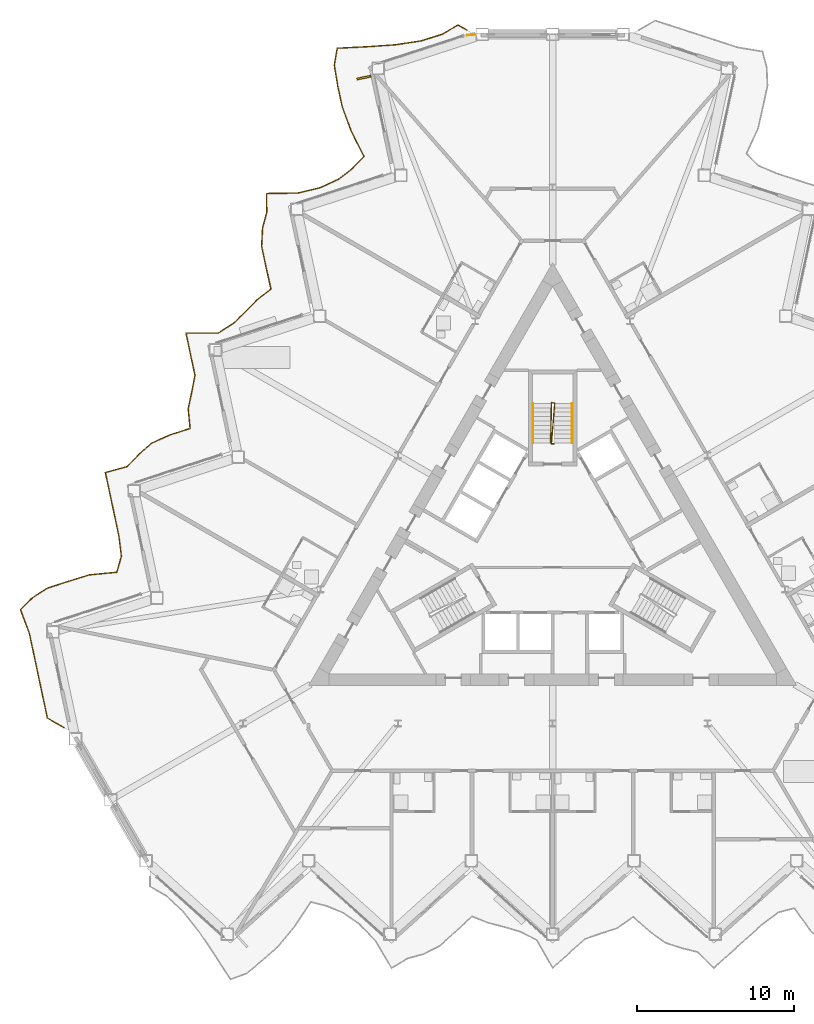
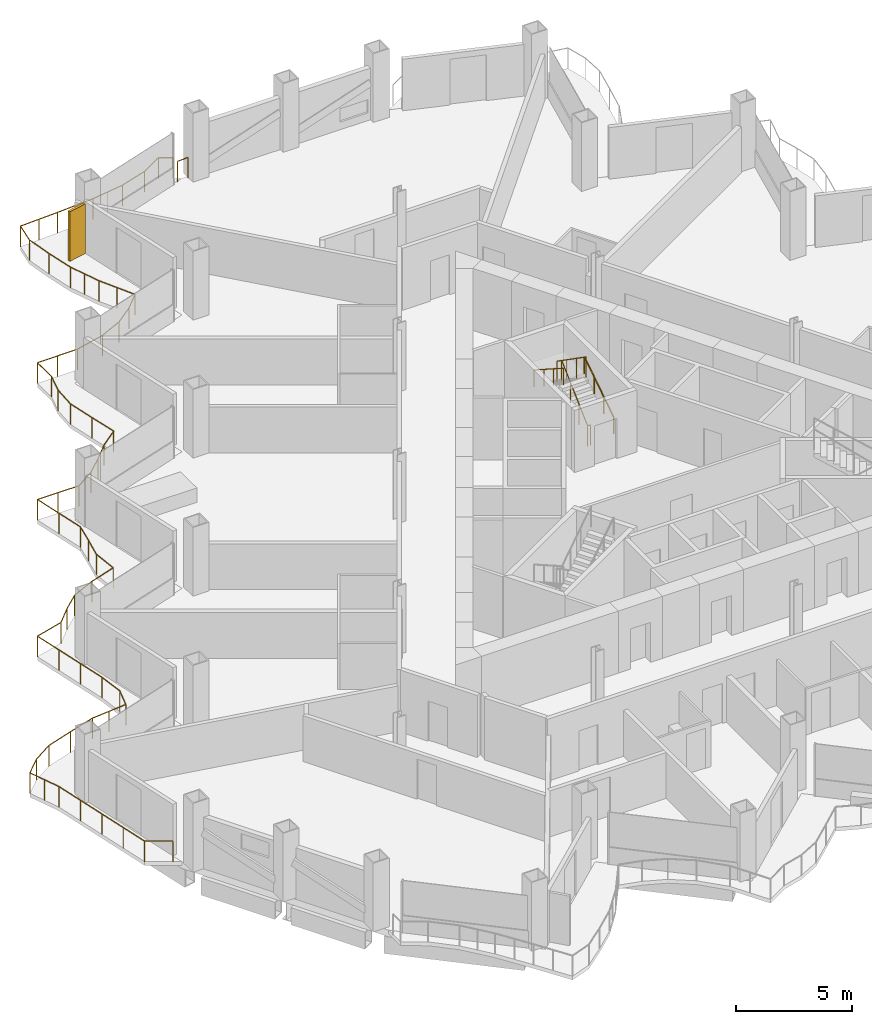
# One storey, part 20 of 23: 5 railings, 1 shading device.
"""IFC4 building model written with IfcOpenShell, lengths in metres."""

import ifcopenshell
import ifcopenshell.guid

model = None  # the IFC model being written
_history = None  # IfcOwnerHistory: only IFC2X3 demands one
_inside = {}  # id of a spatial element -> (the spatial element, [elements in it])
_under = {}  # id of a project, library or spatial element -> (it, [spatial elements below it])
_declared = {}  # id of a project -> (the project, [libraries it declares])
_typed = {}  # id of a type object -> (the type object, [elements of that type])
_made_of = {}  # id of a material, layer set ... -> (it, [elements and type objects made of it])


def new_model(schema):
    """Start an empty IFC model of exactly this schema.

    Asked for "IFC4X3", IfcOpenShell would pick the latest addendum, in which some entities
    have other attributes; the version numbers below select the first issue.
    IFC2X3 requires an IfcOwnerHistory on every rooted entity: one is made here for all.
    """
    global model, _history
    if schema == "IFC4X3":
        model = ifcopenshell.file(schema_version=(4, 3, 0, 0))
    else:
        model = ifcopenshell.file(schema=schema)
    _inside.clear()
    _under.clear()
    _declared.clear()
    _typed.clear()
    _made_of.clear()
    _history = None
    if model.schema == "IFC2X3":
        org = make("IfcOrganization", Name="unknown")
        user = make(
            "IfcPersonAndOrganization",
            ThePerson=make("IfcPerson", FamilyName="unknown"),
            TheOrganization=org,
        )
        app = make(
            "IfcApplication",
            ApplicationDeveloper=org,
            Version="unknown",
            ApplicationFullName="unknown",
            ApplicationIdentifier="unknown",
        )
        _history = make(
            "IfcOwnerHistory",
            OwningUser=user,
            OwningApplication=app,
            ChangeAction="ADDED",
            CreationDate=0,
        )
    return model


def make(cls, **values):
    """One entity of the class cls with the attributes given. An attribute that is None is left unset."""
    return model.create_entity(
        cls, **{name: value for name, value in values.items() if value is not None}
    )


def rooted(cls, **values):
    """An entity with a GlobalId (a new one), such as an element, a storey or a relation."""
    return make(cls, GlobalId=ifcopenshell.guid.new(), OwnerHistory=_history, **values)


def si_unit(unit_type, name, prefix=None):
    """IfcSIUnit, for example si_unit("LENGTHUNIT", "METRE", prefix="MILLI")."""
    return make("IfcSIUnit", UnitType=unit_type, Prefix=prefix, Name=name)


def assignment(units):
    """IfcUnitAssignment: the units of a project."""
    return None if units is None else make("IfcUnitAssignment", Units=units)


def point(xyz):
    """IfcCartesianPoint."""
    return None if xyz is None else make("IfcCartesianPoint", Coordinates=xyz)


def direction(xyz):
    """IfcDirection."""
    return None if xyz is None else make("IfcDirection", DirectionRatios=xyz)


def frame(location, z_axis=None, x_axis=None):
    """IfcAxis2Placement3D, a coordinate frame: its origin and axes. An axis left out is left unset."""
    return make(
        "IfcAxis2Placement3D",
        Location=point(location),
        Axis=direction(z_axis),
        RefDirection=direction(x_axis),
    )


def frame_2d(location, x_axis=None):
    """IfcAxis2Placement2D, a coordinate frame in the plane: its origin and x axis."""
    return make(
        "IfcAxis2Placement2D", Location=point(location), RefDirection=direction(x_axis)
    )


def origin():
    """The frame at (0, 0, 0) with its axes left unset."""
    return frame((0.0, 0.0, 0.0))


def origin_2d():
    """The frame at (0, 0) in the plane with its x axis left unset."""
    return frame_2d((0.0, 0.0))


def place(relative_to, where):
    """IfcLocalPlacement: puts the frame where relative to a parent placement (None: the world)."""
    return make(
        "IfcLocalPlacement", PlacementRelTo=relative_to, RelativePlacement=where
    )


def context(
    kind, dimensions, precision=None, world=None, true_north=None, identifier=None
):
    """IfcGeometricRepresentationContext, for example the 3D "Model" context."""
    return make(
        "IfcGeometricRepresentationContext",
        ContextIdentifier=identifier,
        ContextType=kind,
        CoordinateSpaceDimension=dimensions,
        Precision=precision,
        WorldCoordinateSystem=world,
        TrueNorth=true_north,
    )


def subcontext(parent, identifier, kind, view, scale=None):
    """IfcGeometricRepresentationSubContext, for example "Body" below "Model"."""
    return make(
        "IfcGeometricRepresentationSubContext",
        ContextIdentifier=identifier,
        ContextType=kind,
        ParentContext=parent,
        TargetScale=scale,
        TargetView=view,
    )


def project(units=None, contexts=None):
    """IfcProject with its units and contexts."""
    return rooted(
        "IfcProject",
        Name="project",
        RepresentationContexts=contexts,
        UnitsInContext=assignment(units),
    )


def spatial(cls, under=None, at=None, **own):
    """A site, building, storey or space (cls), placed at a placement, below another one or the project."""
    s = rooted(cls, ObjectPlacement=at, **own)
    if under is not None:
        _under.setdefault(under.id(), (under, []))[1].append(s)
    return s


def profile(cls, at=None, kind="AREA", **sizes):
    """A parametric profile (cls). Its sizes go by their IFC names, for example OverallWidth=200.0."""
    return make(cls, ProfileType=kind, Position=at, **sizes)


def rectangle(**sizes):
    """IfcRectangleProfileDef."""
    return profile("IfcRectangleProfileDef", **sizes)


def circle(**sizes):
    """IfcCircleProfileDef."""
    return profile("IfcCircleProfileDef", **sizes)


def extrude(swept, where, along, depth):
    """IfcExtrudedAreaSolid: the profile swept, set in the frame where, extruded along a direction by depth."""
    return make(
        "IfcExtrudedAreaSolid",
        SweptArea=swept,
        Position=where,
        ExtrudedDirection=direction(along),
        Depth=depth,
    )


def shape(context_of_items, identifier, shape_type, items):
    """IfcShapeRepresentation: the items that make up one representation, for example the "Body"."""
    return make(
        "IfcShapeRepresentation",
        ContextOfItems=context_of_items,
        RepresentationIdentifier=identifier,
        RepresentationType=shape_type,
        Items=items,
    )


def material(Name=None, Category=None):
    """IfcMaterial."""
    return make("IfcMaterial", Name=Name, Category=Category)


def layer(
    of_material, thickness, ventilated=None, Name=None, Category=None, Priority=None
):
    """IfcMaterialLayer: one layer of a wall or slab, of a material (None: an air gap)."""
    return make(
        "IfcMaterialLayer",
        Material=of_material,
        LayerThickness=thickness,
        IsVentilated=ventilated,
        Name=Name,
        Category=Category,
        Priority=Priority,
    )


def layer_set(layers, Name=None):
    """IfcMaterialLayerSet."""
    return make("IfcMaterialLayerSet", MaterialLayers=layers, LayerSetName=Name)


def made_of(thing, what):
    """Note that an element or type object is made of a material, layer set ...; save() writes the relation."""
    if what is not None:
        _made_of.setdefault(what.id(), (what, []))[1].append(thing)
    return thing


def type_object(cls, material=None, **own):
    """A type object (cls), such as IfcWallType, which elements share."""
    return made_of(rooted(cls, **own), material)


def element(
    cls,
    number,
    at=None,
    inside=None,
    cuts=None,
    type_object=None,
    material=None,
    context=None,
    identifier="Body",
    shape_type=None,
    held_by="IfcProductDefinitionShape",
    body=None,
    shapes=None,
    **own,
):
    """One element of the class cls, such as IfcWall. Its Tag is "e" and its number.

    at: its placement. inside: the storey or other place that contains it. cuts: it is an
    opening in that element (IfcRelVoidsElement). A single representation is given by context,
    identifier, shape_type and body (its items); several are given by shapes. held_by: the class
    of the entity that holds the representations. save() writes the other relations.
    """
    e = rooted(cls, Tag="e%d" % number, ObjectPlacement=at, **own)
    if body is not None:
        shapes = [shape(context, identifier, shape_type, body)]
    if shapes is not None:
        e.Representation = make(held_by, Representations=shapes)
    if inside is not None:
        _inside.setdefault(inside.id(), (inside, []))[1].append(e)
    if cuts is not None:
        rooted(
            "IfcRelVoidsElement", RelatingBuildingElement=cuts, RelatedOpeningElement=e
        )
    if type_object is not None:
        _typed.setdefault(type_object.id(), (type_object, []))[1].append(e)
    return made_of(e, material)


def aggregate(whole, parts):
    """IfcRelAggregates: a whole, such as a stair, and the parts it consists of."""
    return rooted("IfcRelAggregates", RelatingObject=whole, RelatedObjects=parts)


def save(model, path):
    """Write the relations noted so far, then the file.

    IfcRelAggregates (storeys below a building ...), IfcRelContainedInSpatialStructure (elements
    in a storey), IfcRelDefinesByType, IfcRelAssociatesMaterial and IfcRelDeclares: one each for
    every whole, place, type object, material and project.
    """
    for whole, parts in _under.values():
        aggregate(whole, parts)
    for where, things in _inside.values():
        rooted(
            "IfcRelContainedInSpatialStructure",
            RelatedElements=things,
            RelatingStructure=where,
        )
    for kind, things in _typed.values():
        rooted("IfcRelDefinesByType", RelatedObjects=things, RelatingType=kind)
    for what, things in _made_of.values():
        rooted("IfcRelAssociatesMaterial", RelatedObjects=things, RelatingMaterial=what)
    for by, libraries in _declared.values():
        rooted("IfcRelDeclares", RelatingContext=by, RelatedDefinitions=libraries)
    model.write(path)


model = new_model("IFC4")

# Units and contexts
model_context = context("Model", 3, precision=1e-05, world=origin(), true_north=direction((0.0, 1.0)))
body_context = subcontext(model_context, "Body", "Model", "MODEL_VIEW")
ifc_project = project(units=[si_unit("LENGTHUNIT", "METRE"), si_unit("AREAUNIT", "SQUARE_METRE"), si_unit("VOLUMEUNIT", "CUBIC_METRE"), si_unit("PLANEANGLEUNIT", "RADIAN"), si_unit("MASSUNIT", "GRAM", prefix="KILO")], contexts=[model_context])

# Site, building, storey
site_placement = place(None, origin())
site = spatial("IfcSite", under=ifc_project, at=site_placement, CompositionType="ELEMENT")
building_placement = place(site_placement, origin())
building = spatial("IfcBuilding", under=site, at=building_placement, Name="Cormorant Prow Tower", CompositionType="ELEMENT")
storey_placement = place(building_placement, frame((0.0, 0.0, 169.199951171875)))
storey = spatial("IfcBuildingStorey", under=building, at=storey_placement, Name="L35", CompositionType="ELEMENT", Elevation=169.199951171875)

# Railings
ifc_material_1 = material(Name="Aluminium 6063-T6", Category="aluminium")
railing_type_1 = type_object("IfcRailingType", Name="Balcony guard 1100", PredefinedType="GUARDRAIL", material=ifc_material_1)
railing_1_placement = place(storey_placement, frame((-5.452880859375, 32.683837890625, 0.0)))
element("IfcRailing", 1, at=railing_1_placement, inside=storey, type_object=railing_type_1, Name="Balcony guard WNW", PredefinedType="GUARDRAIL", context=body_context, shape_type="SweptSolid", body=[
    extrude(circle(Radius=0.02392578125, at=origin_2d()), frame((0.0, 0.0, 1.076171875), z_axis=(-0.866038622153, 0.499977104415, 0.0), x_axis=(-0.499977104415, -0.866038622153, 0.0)), (0.0, 0.0, 1.0), 0.63623046875),
    extrude(circle(Radius=0.02392578125, at=origin_2d()), frame((-0.551025390625, 0.318115234375, 1.076171875), z_axis=(-0.866663041121, -0.498893949809, 0.0), x_axis=(0.498893949809, -0.866663041121, 0.0)), (0.0, 0.0, 1.0), 1.182373046875),
    extrude(circle(Radius=0.02392578125, at=origin_2d()), frame((-1.57568359375, -0.271728515625, 1.076171875), z_axis=(-0.953826861805, -0.300356983769, 0.0), x_axis=(0.300356983769, -0.953826861805, 0.0)), (0.0, 0.0, 1.0), 1.388427734375),
    extrude(circle(Radius=0.02392578125, at=origin_2d()), frame((-2.89990234375, -0.688720703125, 1.076171875), z_axis=(-0.988627028281, -0.150388160943, 0.0), x_axis=(0.150388160943, -0.988627028281, 0.0)), (0.0, 0.0, 1.0), 1.637939453125),
    extrude(circle(Radius=0.02392578125, at=origin_2d()), frame((-4.519287109375, -0.93505859375, 1.076171875), z_axis=(-0.997592938888, -0.069342110443, 0.0), x_axis=(0.069342110443, -0.997592938888, 0.0)), (0.0, 0.0, 1.0), 1.830810546875),
    extrude(circle(Radius=0.02392578125, at=origin_2d()), frame((-6.345703125, -1.06201171875, 1.076171875), z_axis=(-0.998798653488, -0.049002548825, 0.0), x_axis=(0.049002548825, -0.998798653488, 0.0)), (0.0, 0.0, 1.0), 1.88818359375),
    extrude(circle(Radius=0.02392578125, at=origin_2d()), frame((-8.231689453125, -1.154541015625, 1.076171875), z_axis=(-0.169914413175, -0.985458823186, 0.0), x_axis=(0.985458823186, -0.169914413175, 0.0)), (0.0, 0.0, 1.0), 1.090576171875),
    extrude(circle(Radius=0.02392578125, at=origin_2d()), frame((-8.4169921875, -2.229248046875, 1.076171875), z_axis=(0.163531909197, -0.986538045224, 0.0), x_axis=(0.986538045224, 0.163531909197, 0.0)), (0.0, 0.0, 1.0), 1.32421875),
    extrude(circle(Radius=0.02392578125, at=origin_2d()), frame((-8.200439453125, -3.53564453125, 1.076171875), z_axis=(0.208002968159, -0.978128194685, 0.0), x_axis=(0.978128194685, 0.208002968159, 0.0)), (0.0, 0.0, 1.0), 1.376708984375),
    extrude(circle(Radius=0.02392578125, at=origin_2d()), frame((-7.9140625, -4.88232421875, 1.076171875), z_axis=(0.347145599301, -0.937811245873, 0.0), x_axis=(0.937811245873, 0.347145599301, 0.0)), (0.0, 0.0, 1.0), 1.60205078125),
    extrude(circle(Radius=0.02392578125, at=origin_2d()), frame((-7.35791015625, -6.384765625, 1.076171875), z_axis=(0.446212366822, -0.894927105241, 0.0), x_axis=(0.894927105241, 0.446212366822, 0.0)), (0.0, 0.0, 1.0), 1.853759765625),
    extrude(circle(Radius=0.02392578125, at=origin_2d()), frame((-6.53076171875, -8.043701171875, 1.076171875), z_axis=(-0.700724814404, -0.713431660692, 0.0), x_axis=(0.713431660692, -0.700724814404, 0.0)), (0.0, 0.0, 1.0), 1.056640625),
    extrude(circle(Radius=0.02392578125, at=origin_2d()), frame((-7.271240234375, -8.797607421875, 1.076171875), z_axis=(-0.791037314197, -0.611767903332, 0.0), x_axis=(0.611767903332, -0.791037314197, 0.0)), (0.0, 0.0, 1.0), 1.105712890625),
    extrude(circle(Radius=0.02392578125, at=origin_2d()), frame((-8.14599609375, -9.47412109375, 1.076171875), z_axis=(-0.90658206108, -0.422029580158, 0.0), x_axis=(0.422029580158, -0.90658206108, 0.0)), (0.0, 0.0, 1.0), 1.24951171875),
    extrude(circle(Radius=0.02392578125, at=origin_2d()), frame((-9.27880859375, -10.00146484375, 1.076171875), z_axis=(-0.971860383997, -0.23555762356, 0.0), x_axis=(0.23555762356, -0.971860383997, 0.0)), (0.0, 0.0, 1.0), 1.483154296875),
    extrude(circle(Radius=0.02392578125, at=origin_2d()), frame((-10.72021484375, -10.350830078125, 1.076171875), z_axis=(-0.999908124347, -0.01355517853, 0.0), x_axis=(0.01355517853, -0.999908124347, 0.0)), (0.0, 0.0, 1.0), 1.999267578125),
    extrude(circle(Radius=0.02392578125, at=origin_2d()), frame((-12.71923828125, -10.3779296875, 1.076171875), z_axis=(0.012106643957, -0.9999267119, 0.0), x_axis=(0.9999267119, 0.012106643957, 0.0)), (0.0, 0.0, 1.0), 1.189697265625),
    extrude(circle(Radius=0.02392578125, at=origin_2d()), frame((-12.704833984375, -11.567626953125, 1.076171875), z_axis=(-0.253836229933, -0.967247211613, 0.0), x_axis=(0.967247211613, -0.253836229933, 0.0)), (0.0, 0.0, 1.0), 1.060791015625),
    extrude(circle(Radius=0.02392578125, at=origin_2d()), frame((-12.97412109375, -12.59375, 1.076171875), z_axis=(-0.048381770331, -0.998828916431, 0.0), x_axis=(0.998828916431, -0.048381770331, 0.0)), (0.0, 0.0, 1.0), 1.150634765625),
    extrude(circle(Radius=0.02392578125, at=origin_2d()), frame((-13.02978515625, -13.742919921875, 1.076171875), z_axis=(0.208002968159, -0.978128194685, 0.0), x_axis=(0.978128194685, 0.208002968159, 0.0)), (0.0, 0.0, 1.0), 1.376708984375),
    extrude(circle(Radius=0.02392578125, at=origin_2d()), frame((-12.743408203125, -15.089599609375, 1.076171875), z_axis=(0.218584635198, -0.975817993919, 0.0), x_axis=(0.975817993919, 0.218584635198, 0.0)), (0.0, 0.0, 1.0), 1.390625),
    extrude(circle(Radius=0.02392578125, at=origin_2d()), frame((-12.439453125, -16.446533203125, 1.076171875), z_axis=(-0.786049268655, -0.618163851456, 0.0), x_axis=(0.618163851456, -0.786049268655, 0.0)), (0.0, 0.0, 1.0), 1.102294921875),
    extrude(circle(Radius=0.02392578125, at=origin_2d()), frame((-13.305908203125, -17.1279296875, 1.076171875), z_axis=(-0.699086114757, -0.715037484439, 0.0), x_axis=(0.715037484439, -0.699086114757, 0.0)), (0.0, 0.0, 1.0), 1.05615234375),
    extrude(circle(Radius=0.02392578125, at=origin_2d()), frame((-14.044189453125, -17.883056640625, 1.076171875), z_axis=(-0.724845128214, -0.688911852202, 0.0), x_axis=(0.688911852202, -0.724845128214, 0.0)), (0.0, 0.0, 1.0), 1.066650390625),
    extrude(circle(Radius=0.02392578125, at=origin_2d()), frame((-14.8173828125, -18.617919921875, 1.076171875), z_axis=(-0.837767194075, -0.546027589534, 0.0), x_axis=(0.546027589534, -0.837767194075, 0.0)), (0.0, 0.0, 1.0), 1.147216796875),
    extrude(circle(Radius=0.02392578125, at=origin_2d()), frame((-15.778564453125, -19.244384765625, 1.076171875), z_axis=(-0.999995940652, 0.002849329523, 0.0), x_axis=(-0.002849329523, -0.999995940652, 0.0)), (0.0, 0.0, 1.0), 2.056396484375),
    extrude(circle(Radius=0.02392578125, at=origin_2d()), frame((-17.8349609375, -19.238525390625, 1.076171875), z_axis=(0.207833305176, -0.978164258834, 0.0), x_axis=(0.978164258834, 0.207833305176, 0.0)), (0.0, 0.0, 1.0), 1.376708984375),
    extrude(circle(Radius=0.02392578125, at=origin_2d()), frame((-17.548828125, -20.585205078125, 1.076171875), z_axis=(0.208002968159, -0.978128194685, 0.0), x_axis=(0.978128194685, 0.208002968159, 0.0)), (0.0, 0.0, 1.0), 1.376708984375),
    extrude(circle(Radius=0.02392578125, at=origin_2d()), frame((-17.262451171875, -21.931884765625, 1.076171875), z_axis=(-0.189909697907, -0.981801561743, 0.0), x_axis=(0.981801561743, -0.189909697907, 0.0)), (0.0, 0.0, 1.0), 1.08251953125),
    extrude(circle(Radius=0.02392578125, at=origin_2d()), frame((-17.468017578125, -22.99462890625, 1.076171875), z_axis=(-0.209063998537, -0.977901960585, 0.0), x_axis=(0.977901960585, -0.209063998537, 0.0)), (0.0, 0.0, 1.0), 1.075439453125),
    extrude(circle(Radius=0.02392578125, at=origin_2d()), frame((-17.69287109375, -24.04638671875, 1.076171875), z_axis=(0.095423555182, -0.995436760983, 0.0), x_axis=(0.995436760983, 0.095423555182, 0.0)), (0.0, 0.0, 1.0), 1.256103515625),
    extrude(circle(Radius=0.02392578125, at=origin_2d()), frame((-17.572998046875, -25.296875, 1.076171875), z_axis=(-0.951032765546, -0.309090082108, 0.0), x_axis=(0.309090082108, -0.951032765546, 0.0)), (0.0, 0.0, 1.0), 1.376708984375),
    extrude(circle(Radius=0.02392578125, at=origin_2d()), frame((-18.88232421875, -25.722412109375, 1.076171875), z_axis=(-0.911438592886, -0.41143613283, 0.0), x_axis=(0.41143613283, -0.911438592886, 0.0)), (0.0, 0.0, 1.0), 1.259765625),
    extrude(circle(Radius=0.02392578125, at=origin_2d()), frame((-20.030517578125, -26.24072265625, 1.076171875), z_axis=(-0.743440776752, -0.668801772922, 0.0), x_axis=(0.668801772922, -0.743440776752, 0.0)), (0.0, 0.0, 1.0), 1.076171875),
    extrude(circle(Radius=0.02392578125, at=origin_2d()), frame((-20.83056640625, -26.96044921875, 1.076171875), z_axis=(-0.694255556415, -0.719728575497, 0.0), x_axis=(0.719728575497, -0.694255556415, 0.0)), (0.0, 0.0, 1.0), 1.05419921875),
    extrude(circle(Radius=0.02392578125, at=origin_2d()), frame((-21.5625, -27.71923828125, 1.076171875), z_axis=(-0.964536414051, -0.263949817141, 0.0), x_axis=(0.263949817141, -0.964536414051, 0.0)), (0.0, 0.0, 1.0), 1.439208984375),
    extrude(circle(Radius=0.02392578125, at=origin_2d()), frame((-22.95068359375, -28.09912109375, 1.076171875), z_axis=(0.207797260524, -0.978171916648, 0.0), x_axis=(0.978171916648, 0.207797260524, 0.0)), (0.0, 0.0, 1.0), 1.376953125),
    extrude(circle(Radius=0.02392578125, at=origin_2d()), frame((-22.66455078125, -29.446044921875, 1.076171875), z_axis=(0.208039051809, -0.978120520653, 0.0), x_axis=(0.978120520653, 0.208039051809, 0.0)), (0.0, 0.0, 1.0), 1.37646484375),
    extrude(circle(Radius=0.02392578125, at=origin_2d()), frame((-22.378173828125, -30.79248046875, 1.076171875), z_axis=(0.207833305176, -0.978164258834, 0.0), x_axis=(0.978164258834, 0.207833305176, 0.0)), (0.0, 0.0, 1.0), 1.376708984375),
    extrude(circle(Radius=0.02392578125, at=origin_2d()), frame((-22.092041015625, -32.13916015625, 1.076171875), z_axis=(0.121947285507, -0.992536578448, 0.0), x_axis=(0.992536578448, 0.121947285507, 0.0)), (0.0, 0.0, 1.0), 1.28125),
    extrude(circle(Radius=0.02392578125, at=origin_2d()), frame((-21.935791015625, -33.410888671875, 1.076171875), z_axis=(-0.270290231117, -0.962778889965, 0.0), x_axis=(0.962778889965, -0.270290231117, 0.0)), (0.0, 0.0, 1.0), 1.055908203125),
    extrude(circle(Radius=0.02392578125, at=origin_2d()), frame((-22.22119140625, -34.427490234375, 1.076171875), z_axis=(-0.995438663589, -0.095403705552, 0.0), x_axis=(0.095403705552, -0.995438663589, 0.0)), (0.0, 0.0, 1.0), 1.76318359375),
    extrude(circle(Radius=0.02392578125, at=origin_2d()), frame((-23.976318359375, -34.595703125, 1.076171875), z_axis=(-0.955113715123, -0.296239415311, 0.0), x_axis=(0.296239415311, -0.955113715123, 0.0)), (0.0, 0.0, 1.0), 1.3935546875),
    extrude(circle(Radius=0.02392578125, at=origin_2d()), frame((-25.307373046875, -35.008544921875, 1.076171875), z_axis=(-0.951084882537, -0.308929678422, 0.0), x_axis=(0.308929678422, -0.951084882537, 0.0)), (0.0, 0.0, 1.0), 1.376708984375),
    extrude(circle(Radius=0.02392578125, at=origin_2d()), frame((-26.61669921875, -35.433837890625, 1.076171875), z_axis=(-0.84373988397, -0.536752278243, 0.0), x_axis=(0.536752278243, -0.84373988397, 0.0)), (0.0, 0.0, 1.0), 1.154052734375),
    extrude(circle(Radius=0.02392578125, at=origin_2d()), frame((-27.59033203125, -36.05322265625, 1.076171875), z_axis=(-0.711578739804, -0.702606359962, 0.0), x_axis=(0.702606359962, -0.711578739804, 0.0)), (0.0, 0.0, 1.0), 1.061279296875),
    extrude(circle(Radius=0.02392578125, at=origin_2d()), frame((-28.345458984375, -36.798828125, 1.076171875), z_axis=(0.350990514633, -0.936379014416, 0.0), x_axis=(0.936379014416, 0.350990514633, 0.0)), (0.0, 0.0, 1.0), 1.6103515625),
    extrude(circle(Radius=0.02392578125, at=origin_2d()), frame((-27.7802734375, -38.306640625, 1.076171875), z_axis=(0.208002968159, -0.978128194685, 0.0), x_axis=(0.978128194685, 0.208002968159, 0.0)), (0.0, 0.0, 1.0), 1.376708984375),
    extrude(circle(Radius=0.02392578125, at=origin_2d()), frame((-27.493896484375, -39.6533203125, 1.076171875), z_axis=(0.207833305176, -0.978164258834, 0.0), x_axis=(0.978164258834, 0.207833305176, 0.0)), (0.0, 0.0, 1.0), 1.376708984375),
    extrude(circle(Radius=0.02392578125, at=origin_2d()), frame((-27.207763671875, -41.0, 1.076171875), z_axis=(0.207833305176, -0.978164258834, 0.0), x_axis=(0.978164258834, 0.207833305176, 0.0)), (0.0, 0.0, 1.0), 1.376708984375),
    extrude(circle(Radius=0.02392578125, at=origin_2d()), frame((-26.921630859375, -42.3466796875, 1.076171875), z_axis=(0.208002968159, -0.978128194685, 0.0), x_axis=(0.978128194685, 0.208002968159, 0.0)), (0.0, 0.0, 1.0), 1.376708984375),
    extrude(circle(Radius=0.02392578125, at=origin_2d()), frame((-26.63525390625, -43.693359375, 1.076171875), z_axis=(0.866092288191, -0.499884134912, 0.0), x_axis=(0.499884134912, 0.866092288191, 0.0)), (0.0, 0.0, 1.0), 1.219970703125),
    extrude(circle(Radius=0.02099609375, at=origin_2d()), origin(), (0.0, 0.0, 1.0), 1.052001953125),
    extrude(circle(Radius=0.02099609375, at=origin_2d()), frame((-0.551025390625, 0.318115234375, 0.0)), (0.0, 0.0, 1.0), 1.052001953125),
    extrude(circle(Radius=0.02099609375, at=origin_2d()), frame((-1.57568359375, -0.271728515625, 0.0)), (0.0, 0.0, 1.0), 1.052001953125),
    extrude(circle(Radius=0.02099609375, at=origin_2d()), frame((-2.89990234375, -0.688720703125, 0.0)), (0.0, 0.0, 1.0), 1.052001953125),
    extrude(circle(Radius=0.02099609375, at=origin_2d()), frame((-3.70947265625, -0.81201171875, 0.0)), (0.0, 0.0, 1.0), 1.052001953125),
    extrude(circle(Radius=0.02099609375, at=origin_2d()), frame((-4.519287109375, -0.93505859375, 0.0)), (0.0, 0.0, 1.0), 1.052001953125),
    extrude(circle(Radius=0.02099609375, at=origin_2d()), frame((-5.4326171875, -0.99853515625, 0.0)), (0.0, 0.0, 1.0), 1.052001953125),
    extrude(circle(Radius=0.02099609375, at=origin_2d()), frame((-6.345703125, -1.06201171875, 0.0)), (0.0, 0.0, 1.0), 1.052001953125),
    extrude(circle(Radius=0.02099609375, at=origin_2d()), frame((-7.28857421875, -1.1083984375, 0.0)), (0.0, 0.0, 1.0), 1.052001953125),
    extrude(circle(Radius=0.02099609375, at=origin_2d()), frame((-8.231689453125, -1.154541015625, 0.0)), (0.0, 0.0, 1.0), 1.052001953125),
    extrude(circle(Radius=0.02099609375, at=origin_2d()), frame((-8.4169921875, -2.229248046875, 0.0)), (0.0, 0.0, 1.0), 1.052001953125),
    extrude(circle(Radius=0.02099609375, at=origin_2d()), frame((-8.200439453125, -3.53564453125, 0.0)), (0.0, 0.0, 1.0), 1.052001953125),
    extrude(circle(Radius=0.02099609375, at=origin_2d()), frame((-7.9140625, -4.88232421875, 0.0)), (0.0, 0.0, 1.0), 1.052001953125),
    extrude(circle(Radius=0.02099609375, at=origin_2d()), frame((-7.635986328125, -5.633544921875, 0.0)), (0.0, 0.0, 1.0), 1.052001953125),
    extrude(circle(Radius=0.02099609375, at=origin_2d()), frame((-7.35791015625, -6.384765625, 0.0)), (0.0, 0.0, 1.0), 1.052001953125),
    extrude(circle(Radius=0.02099609375, at=origin_2d()), frame((-6.9443359375, -7.21435546875, 0.0)), (0.0, 0.0, 1.0), 1.052001953125),
    extrude(circle(Radius=0.02099609375, at=origin_2d()), frame((-6.53076171875, -8.043701171875, 0.0)), (0.0, 0.0, 1.0), 1.052001953125),
    extrude(circle(Radius=0.02099609375, at=origin_2d()), frame((-7.271240234375, -8.797607421875, 0.0)), (0.0, 0.0, 1.0), 1.052001953125),
    extrude(circle(Radius=0.02099609375, at=origin_2d()), frame((-8.14599609375, -9.47412109375, 0.0)), (0.0, 0.0, 1.0), 1.052001953125),
    extrude(circle(Radius=0.02099609375, at=origin_2d()), frame((-9.27880859375, -10.00146484375, 0.0)), (0.0, 0.0, 1.0), 1.052001953125),
    extrude(circle(Radius=0.02099609375, at=origin_2d()), frame((-10.72021484375, -10.350830078125, 0.0)), (0.0, 0.0, 1.0), 1.052001953125),
    extrude(circle(Radius=0.02099609375, at=origin_2d()), frame((-11.7197265625, -10.3642578125, 0.0)), (0.0, 0.0, 1.0), 1.052001953125),
    extrude(circle(Radius=0.02099609375, at=origin_2d()), frame((-12.71923828125, -10.3779296875, 0.0)), (0.0, 0.0, 1.0), 1.052001953125),
    extrude(circle(Radius=0.02099609375, at=origin_2d()), frame((-12.704833984375, -11.567626953125, 0.0)), (0.0, 0.0, 1.0), 1.052001953125),
    extrude(circle(Radius=0.02099609375, at=origin_2d()), frame((-12.97412109375, -12.59375, 0.0)), (0.0, 0.0, 1.0), 1.052001953125),
    extrude(circle(Radius=0.02099609375, at=origin_2d()), frame((-13.02978515625, -13.742919921875, 0.0)), (0.0, 0.0, 1.0), 1.052001953125),
    extrude(circle(Radius=0.02099609375, at=origin_2d()), frame((-12.743408203125, -15.089599609375, 0.0)), (0.0, 0.0, 1.0), 1.052001953125),
    extrude(circle(Radius=0.02099609375, at=origin_2d()), frame((-12.439453125, -16.446533203125, 0.0)), (0.0, 0.0, 1.0), 1.052001953125),
    extrude(circle(Radius=0.02099609375, at=origin_2d()), frame((-13.305908203125, -17.1279296875, 0.0)), (0.0, 0.0, 1.0), 1.052001953125),
    extrude(circle(Radius=0.02099609375, at=origin_2d()), frame((-14.044189453125, -17.883056640625, 0.0)), (0.0, 0.0, 1.0), 1.052001953125),
    extrude(circle(Radius=0.02099609375, at=origin_2d()), frame((-14.8173828125, -18.617919921875, 0.0)), (0.0, 0.0, 1.0), 1.052001953125),
    extrude(circle(Radius=0.02099609375, at=origin_2d()), frame((-15.778564453125, -19.244384765625, 0.0)), (0.0, 0.0, 1.0), 1.052001953125),
    extrude(circle(Radius=0.02099609375, at=origin_2d()), frame((-16.806640625, -19.241455078125, 0.0)), (0.0, 0.0, 1.0), 1.052001953125),
    extrude(circle(Radius=0.02099609375, at=origin_2d()), frame((-17.8349609375, -19.238525390625, 0.0)), (0.0, 0.0, 1.0), 1.052001953125),
    extrude(circle(Radius=0.02099609375, at=origin_2d()), frame((-17.548828125, -20.585205078125, 0.0)), (0.0, 0.0, 1.0), 1.052001953125),
    extrude(circle(Radius=0.02099609375, at=origin_2d()), frame((-17.262451171875, -21.931884765625, 0.0)), (0.0, 0.0, 1.0), 1.052001953125),
    extrude(circle(Radius=0.02099609375, at=origin_2d()), frame((-17.468017578125, -22.99462890625, 0.0)), (0.0, 0.0, 1.0), 1.052001953125),
    extrude(circle(Radius=0.02099609375, at=origin_2d()), frame((-17.69287109375, -24.04638671875, 0.0)), (0.0, 0.0, 1.0), 1.052001953125),
    extrude(circle(Radius=0.02099609375, at=origin_2d()), frame((-17.572998046875, -25.296875, 0.0)), (0.0, 0.0, 1.0), 1.052001953125),
    extrude(circle(Radius=0.02099609375, at=origin_2d()), frame((-18.88232421875, -25.722412109375, 0.0)), (0.0, 0.0, 1.0), 1.052001953125),
    extrude(circle(Radius=0.02099609375, at=origin_2d()), frame((-20.030517578125, -26.24072265625, 0.0)), (0.0, 0.0, 1.0), 1.052001953125),
    extrude(circle(Radius=0.02099609375, at=origin_2d()), frame((-20.83056640625, -26.96044921875, 0.0)), (0.0, 0.0, 1.0), 1.052001953125),
    extrude(circle(Radius=0.02099609375, at=origin_2d()), frame((-21.5625, -27.71923828125, 0.0)), (0.0, 0.0, 1.0), 1.052001953125),
    extrude(circle(Radius=0.02099609375, at=origin_2d()), frame((-22.95068359375, -28.09912109375, 0.0)), (0.0, 0.0, 1.0), 1.052001953125),
    extrude(circle(Radius=0.02099609375, at=origin_2d()), frame((-22.66455078125, -29.446044921875, 0.0)), (0.0, 0.0, 1.0), 1.052001953125),
    extrude(circle(Radius=0.02099609375, at=origin_2d()), frame((-22.378173828125, -30.79248046875, 0.0)), (0.0, 0.0, 1.0), 1.052001953125),
    extrude(circle(Radius=0.02099609375, at=origin_2d()), frame((-22.092041015625, -32.13916015625, 0.0)), (0.0, 0.0, 1.0), 1.052001953125),
    extrude(circle(Radius=0.02099609375, at=origin_2d()), frame((-21.935791015625, -33.410888671875, 0.0)), (0.0, 0.0, 1.0), 1.052001953125),
    extrude(circle(Radius=0.02099609375, at=origin_2d()), frame((-22.22119140625, -34.427490234375, 0.0)), (0.0, 0.0, 1.0), 1.052001953125),
    extrude(circle(Radius=0.02099609375, at=origin_2d()), frame((-23.0986328125, -34.51171875, 0.0)), (0.0, 0.0, 1.0), 1.052001953125),
    extrude(circle(Radius=0.02099609375, at=origin_2d()), frame((-23.976318359375, -34.595703125, 0.0)), (0.0, 0.0, 1.0), 1.052001953125),
    extrude(circle(Radius=0.02099609375, at=origin_2d()), frame((-25.307373046875, -35.008544921875, 0.0)), (0.0, 0.0, 1.0), 1.052001953125),
    extrude(circle(Radius=0.02099609375, at=origin_2d()), frame((-26.61669921875, -35.433837890625, 0.0)), (0.0, 0.0, 1.0), 1.052001953125),
    extrude(circle(Radius=0.02099609375, at=origin_2d()), frame((-27.59033203125, -36.05322265625, 0.0)), (0.0, 0.0, 1.0), 1.052001953125),
    extrude(circle(Radius=0.02099609375, at=origin_2d()), frame((-28.345458984375, -36.798828125, 0.0)), (0.0, 0.0, 1.0), 1.052001953125),
    extrude(circle(Radius=0.02099609375, at=origin_2d()), frame((-28.06298828125, -37.552734375, 0.0)), (0.0, 0.0, 1.0), 1.052001953125),
    extrude(circle(Radius=0.02099609375, at=origin_2d()), frame((-27.7802734375, -38.306640625, 0.0)), (0.0, 0.0, 1.0), 1.052001953125),
    extrude(circle(Radius=0.02099609375, at=origin_2d()), frame((-27.493896484375, -39.6533203125, 0.0)), (0.0, 0.0, 1.0), 1.052001953125),
    extrude(circle(Radius=0.02099609375, at=origin_2d()), frame((-27.207763671875, -41.0, 0.0)), (0.0, 0.0, 1.0), 1.052001953125),
    extrude(circle(Radius=0.02099609375, at=origin_2d()), frame((-26.921630859375, -42.3466796875, 0.0)), (0.0, 0.0, 1.0), 1.052001953125),
    extrude(circle(Radius=0.02099609375, at=origin_2d()), frame((-26.63525390625, -43.693359375, 0.0)), (0.0, 0.0, 1.0), 1.052001953125),
    extrude(circle(Radius=0.02099609375, at=origin_2d()), frame((-25.57861328125, -44.30322265625, 0.0)), (0.0, 0.0, 1.0), 1.052001953125),
])
ifc_material_2 = material(Name="Stainless steel", Category="steel")
railing_type_2 = type_object("IfcRailingType", Name="Facade corner guard 1100", PredefinedType="GUARDRAIL", material=ifc_material_2)
railing_2_placement = place(storey_placement, frame((-5.416015625, 32.35205078125, 0.0)))
element("IfcRailing", 2, at=railing_2_placement, inside=storey, type_object=railing_type_2, Name="Facade corner guard L35 1", PredefinedType="GUARDRAIL", context=body_context, shape_type="SweptSolid", body=[
    extrude(circle(Radius=0.02392578125, at=origin_2d()), frame((0.0, 0.0, 1.076171875), z_axis=(0.996787247291, 0.080094841515, 0.0), x_axis=(-0.080094841515, 0.996787247291, 0.0)), (0.0, 0.0, 1.0), 0.52734375),
    extrude(circle(Radius=0.02099609375, at=origin_2d()), origin(), (0.0, 0.0, 1.0), 1.052001953125),
    extrude(circle(Radius=0.02099609375, at=origin_2d()), frame((0.525634765625, 0.042236328125, 0.0)), (0.0, 0.0, 1.0), 1.052001953125),
])
ifc_material_3 = material(Name="Stainless steel", Category="steel")
railing_type_3 = type_object("IfcRailingType", Name="Stair guard 1100", PredefinedType="GUARDRAIL", material=ifc_material_3)
railing_3_placement = place(storey_placement, frame((0.074951171875, 6.40576171875, 0.0)))
element("IfcRailing", 3, at=railing_3_placement, inside=storey, type_object=railing_type_3, Name="L35 ST3 stair guard 1", PredefinedType="GUARDRAIL", context=body_context, shape_type="SweptSolid", body=[
    extrude(circle(Radius=0.02392578125, at=origin_2d()), frame((0.0, 0.0, 1.076171875), z_axis=(-1.0, 0.0, 0.0), x_axis=(0.0, -1.0, 0.0)), (0.0, 0.0, 1.0), 0.14990234375),
    extrude(circle(Radius=0.02392578125, at=origin_2d()), frame((-0.14990234375, 0.0, 1.076171875), z_axis=(0.063595540489, 0.817423998443, 0.572515164864), x_axis=(-0.996987254287, 0.077565551559, 0.0)), (0.0, 0.0, 1.0), 3.14404296875),
    extrude(circle(Radius=0.02392578125, at=origin_2d()), frame((0.050048828125, 2.570068359375, 2.8759765625), z_axis=(-0.970072785993, 0.242814311512, 0.0), x_axis=(-0.242814311512, -0.970072785993, 0.0)), (0.0, 0.0, 1.0), 0.2060546875),
    extrude(circle(Radius=0.02392578125, at=origin_2d()), frame((-0.14990234375, 2.6201171875, 2.8759765625), z_axis=(-0.01594855688, -0.818977845239, 0.573603462805), x_axis=(0.999810440751, -0.019470042781, 0.0)), (0.0, 0.0, 1.0), 3.13818359375),
    extrude(circle(Radius=0.02099609375, at=origin_2d()), origin(), (0.0, 0.0, 1.0), 1.052001953125),
    extrude(circle(Radius=0.02099609375, at=origin_2d()), frame((-0.14990234375, 0.0, 0.0)), (0.0, 0.0, 1.0), 1.052001953125),
    extrude(circle(Radius=0.02099609375, at=origin_2d()), frame((-0.083251953125, 0.856689453125, 0.60009765625)), (0.0, 0.0, 1.0), 1.052001953125),
    extrude(circle(Radius=0.02099609375, at=origin_2d()), frame((-0.0166015625, 1.71337890625, 1.199951171875)), (0.0, 0.0, 1.0), 1.052001953125),
    extrude(circle(Radius=0.02099609375, at=origin_2d()), frame((0.050048828125, 2.570068359375, 1.800048828125)), (0.0, 0.0, 1.0), 1.052001953125),
    extrude(circle(Radius=0.02099609375, at=origin_2d()), frame((-0.14990234375, 2.6201171875, 1.800048828125)), (0.0, 0.0, 1.0), 1.052001953125),
    extrude(circle(Radius=0.02099609375, at=origin_2d()), frame((-0.16650390625, 1.763427734375, 2.400146484375)), (0.0, 0.0, 1.0), 1.052001953125),
    extrude(circle(Radius=0.02099609375, at=origin_2d()), frame((-0.183349609375, 0.90673828125, 3.0)), (0.0, 0.0, 1.0), 1.052001953125),
    extrude(circle(Radius=0.02099609375, at=origin_2d()), frame((-0.199951171875, 0.050048828125, 3.60009765625)), (0.0, 0.0, 1.0), 1.052001953125),
])
ifc_material_4 = material(Name="Stainless steel", Category="steel")
railing_type_4 = type_object("IfcRailingType", Name="Stair handrail 900", PredefinedType="HANDRAIL", material=ifc_material_4)
railing_4_placement = place(storey_placement, frame((1.243896484375, 6.455810546875, 0.179931640625)))
element("IfcRailing", 4, at=railing_4_placement, inside=storey, type_object=railing_type_4, Name="L35 ST3 stair handrail 1", PredefinedType="HANDRAIL", context=body_context, shape_type="SweptSolid", body=[
    extrude(circle(Radius=0.02392578125, at=origin_2d()), frame((0.0, 0.0, 0.8759765625), z_axis=(0.0, 0.841162588446, 0.540782303519), x_axis=(-1.0, 0.0, 0.0)), (0.0, 0.0, 1.0), 2.995849609375),
    extrude(circle(Radius=0.02099609375, at=origin_2d()), origin(), (0.0, 0.0, 1.0), 0.851806640625),
    extrude(circle(Radius=0.02099609375, at=origin_2d()), frame((0.0, 0.840087890625, 0.5400390625)), (0.0, 0.0, 1.0), 0.851806640625),
    extrude(circle(Radius=0.02099609375, at=origin_2d()), frame((0.0, 1.679931640625, 1.080078125)), (0.0, 0.0, 1.0), 0.851806640625),
    extrude(circle(Radius=0.02099609375, at=origin_2d()), frame((0.0, 2.52001953125, 1.6201171875)), (0.0, 0.0, 1.0), 0.851806640625),
])
railing_5_placement = place(storey_placement, frame((-1.243896484375, 8.975830078125, 1.97998046875)))
element("IfcRailing", 5, at=railing_5_placement, inside=storey, type_object=railing_type_4, Name="L35 ST3 stair handrail 2", PredefinedType="HANDRAIL", context=body_context, shape_type="SweptSolid", body=[
    extrude(circle(Radius=0.02392578125, at=origin_2d()), frame((0.0, 0.0, 0.8759765625), z_axis=(0.0, -0.841162588446, 0.540782303519), x_axis=(1.0, 0.0, 0.0)), (0.0, 0.0, 1.0), 2.995849609375),
    extrude(circle(Radius=0.02099609375, at=origin_2d()), origin(), (0.0, 0.0, 1.0), 0.851806640625),
    extrude(circle(Radius=0.02099609375, at=origin_2d()), frame((0.0, -0.840087890625, 0.5400390625)), (0.0, 0.0, 1.0), 0.851806640625),
    extrude(circle(Radius=0.02099609375, at=origin_2d()), frame((0.0, -1.679931640625, 1.080078125)), (0.0, 0.0, 1.0), 0.851806640625),
    extrude(circle(Radius=0.02099609375, at=origin_2d()), frame((0.0, -2.52001953125, 1.6201171875)), (0.0, 0.0, 1.0), 0.851806640625),
])

# Shading device
ifc_material_5 = material(Name="Terracotta", Category="masonry")
ifc_layer = layer(ifc_material_5, 0.1201171875)
ifc_layer_set = layer_set([ifc_layer], Name="Terracotta")
shading_device_type = type_object("IfcShadingDeviceType", Name="Terracotta baguette fin 120x900x2600", PredefinedType="USERDEFINED", material=ifc_layer_set)
shading_device_placement = place(storey_placement, frame((-11.98046875, 29.65869140625, 0.0), z_axis=(0.0, 0.0, 1.0), x_axis=(0.207911728478, -0.978147592729, 0.0)))
element("IfcShadingDevice", 6, at=shading_device_placement, inside=storey, type_object=shading_device_type, Name="Baguette fin WNW01", ObjectType="BAGUETTE", PredefinedType="USERDEFINED", context=body_context, shape_type="SweptSolid", body=[
    extrude(rectangle(XDim=0.1201171875, YDim=0.89990234375, at=origin_2d()), origin(), (0.0, 0.0, 1.0), 2.60009765625),
])

save(model, "model.ifc")
